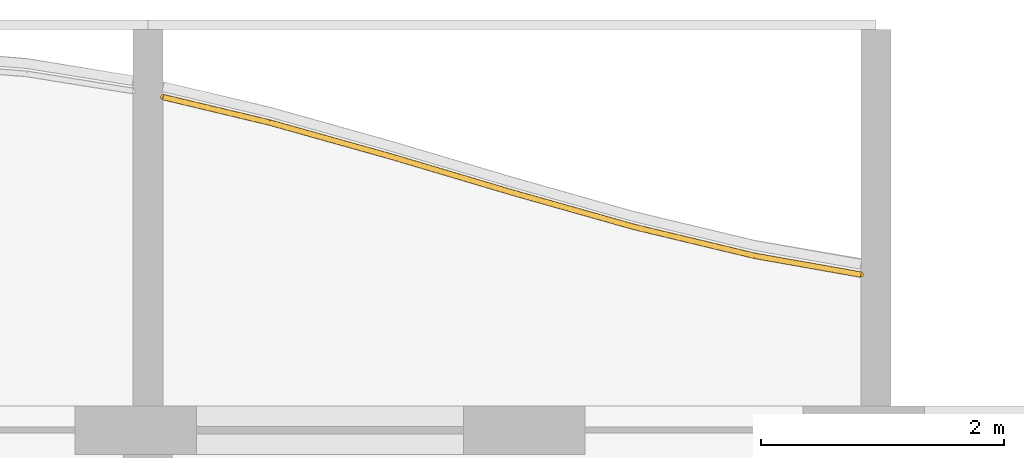
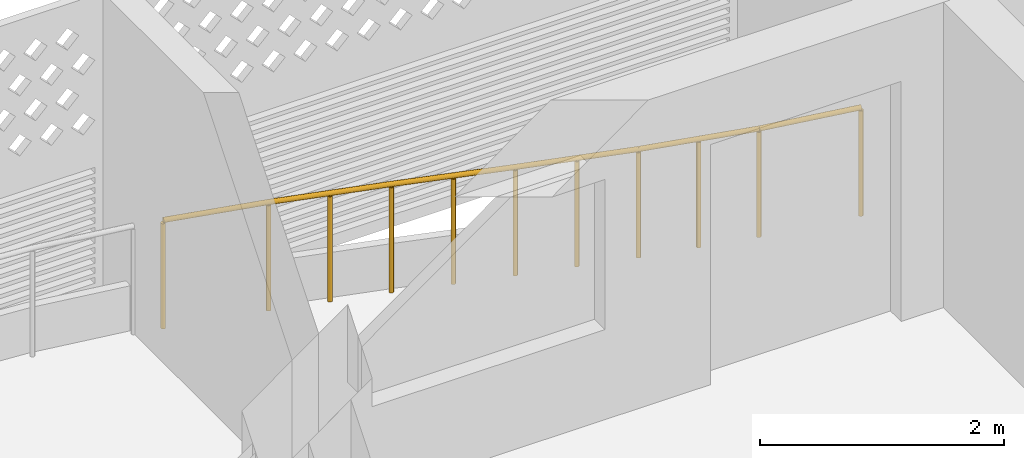
# One storey, part 23 of 39: 1 railing.
"""IFC4 building model written with IfcOpenShell, lengths in metres."""

import ifcopenshell
import ifcopenshell.guid

model = None  # the IFC model being written
_history = None  # IfcOwnerHistory: only IFC2X3 demands one
_inside = {}  # id of a spatial element -> (the spatial element, [elements in it])
_under = {}  # id of a project, library or spatial element -> (it, [spatial elements below it])
_declared = {}  # id of a project -> (the project, [libraries it declares])
_typed = {}  # id of a type object -> (the type object, [elements of that type])
_made_of = {}  # id of a material, layer set ... -> (it, [elements and type objects made of it])


def new_model(schema):
    """Start an empty IFC model of exactly this schema.

    Asked for "IFC4X3", IfcOpenShell would pick the latest addendum, in which some entities
    have other attributes; the version numbers below select the first issue.
    IFC2X3 requires an IfcOwnerHistory on every rooted entity: one is made here for all.
    """
    global model, _history
    if schema == "IFC4X3":
        model = ifcopenshell.file(schema_version=(4, 3, 0, 0))
    else:
        model = ifcopenshell.file(schema=schema)
    _inside.clear()
    _under.clear()
    _declared.clear()
    _typed.clear()
    _made_of.clear()
    _history = None
    if model.schema == "IFC2X3":
        org = make("IfcOrganization", Name="unknown")
        user = make(
            "IfcPersonAndOrganization",
            ThePerson=make("IfcPerson", FamilyName="unknown"),
            TheOrganization=org,
        )
        app = make(
            "IfcApplication",
            ApplicationDeveloper=org,
            Version="unknown",
            ApplicationFullName="unknown",
            ApplicationIdentifier="unknown",
        )
        _history = make(
            "IfcOwnerHistory",
            OwningUser=user,
            OwningApplication=app,
            ChangeAction="ADDED",
            CreationDate=0,
        )
    return model


def make(cls, **values):
    """One entity of the class cls with the attributes given. An attribute that is None is left unset."""
    return model.create_entity(
        cls, **{name: value for name, value in values.items() if value is not None}
    )


def rooted(cls, **values):
    """An entity with a GlobalId (a new one), such as an element, a storey or a relation."""
    return make(cls, GlobalId=ifcopenshell.guid.new(), OwnerHistory=_history, **values)


def si_unit(unit_type, name, prefix=None):
    """IfcSIUnit, for example si_unit("LENGTHUNIT", "METRE", prefix="MILLI")."""
    return make("IfcSIUnit", UnitType=unit_type, Prefix=prefix, Name=name)


def assignment(units):
    """IfcUnitAssignment: the units of a project."""
    return None if units is None else make("IfcUnitAssignment", Units=units)


def point(xyz):
    """IfcCartesianPoint."""
    return None if xyz is None else make("IfcCartesianPoint", Coordinates=xyz)


def direction(xyz):
    """IfcDirection."""
    return None if xyz is None else make("IfcDirection", DirectionRatios=xyz)


def frame(location, z_axis=None, x_axis=None):
    """IfcAxis2Placement3D, a coordinate frame: its origin and axes. An axis left out is left unset."""
    return make(
        "IfcAxis2Placement3D",
        Location=point(location),
        Axis=direction(z_axis),
        RefDirection=direction(x_axis),
    )


def frame_2d(location, x_axis=None):
    """IfcAxis2Placement2D, a coordinate frame in the plane: its origin and x axis."""
    return make(
        "IfcAxis2Placement2D", Location=point(location), RefDirection=direction(x_axis)
    )


def origin():
    """The frame at (0, 0, 0) with its axes left unset."""
    return frame((0.0, 0.0, 0.0))


def origin_2d():
    """The frame at (0, 0) in the plane with its x axis left unset."""
    return frame_2d((0.0, 0.0))


def place(relative_to, where):
    """IfcLocalPlacement: puts the frame where relative to a parent placement (None: the world)."""
    return make(
        "IfcLocalPlacement", PlacementRelTo=relative_to, RelativePlacement=where
    )


def context(
    kind, dimensions, precision=None, world=None, true_north=None, identifier=None
):
    """IfcGeometricRepresentationContext, for example the 3D "Model" context."""
    return make(
        "IfcGeometricRepresentationContext",
        ContextIdentifier=identifier,
        ContextType=kind,
        CoordinateSpaceDimension=dimensions,
        Precision=precision,
        WorldCoordinateSystem=world,
        TrueNorth=true_north,
    )


def subcontext(parent, identifier, kind, view, scale=None):
    """IfcGeometricRepresentationSubContext, for example "Body" below "Model"."""
    return make(
        "IfcGeometricRepresentationSubContext",
        ContextIdentifier=identifier,
        ContextType=kind,
        ParentContext=parent,
        TargetScale=scale,
        TargetView=view,
    )


def project(units=None, contexts=None):
    """IfcProject with its units and contexts."""
    return rooted(
        "IfcProject",
        Name="project",
        RepresentationContexts=contexts,
        UnitsInContext=assignment(units),
    )


def spatial(cls, under=None, at=None, **own):
    """A site, building, storey or space (cls), placed at a placement, below another one or the project."""
    s = rooted(cls, ObjectPlacement=at, **own)
    if under is not None:
        _under.setdefault(under.id(), (under, []))[1].append(s)
    return s


def profile(cls, at=None, kind="AREA", **sizes):
    """A parametric profile (cls). Its sizes go by their IFC names, for example OverallWidth=200.0."""
    return make(cls, ProfileType=kind, Position=at, **sizes)


def circle(**sizes):
    """IfcCircleProfileDef."""
    return profile("IfcCircleProfileDef", **sizes)


def extrude(swept, where, along, depth):
    """IfcExtrudedAreaSolid: the profile swept, set in the frame where, extruded along a direction by depth."""
    return make(
        "IfcExtrudedAreaSolid",
        SweptArea=swept,
        Position=where,
        ExtrudedDirection=direction(along),
        Depth=depth,
    )


def shape(context_of_items, identifier, shape_type, items):
    """IfcShapeRepresentation: the items that make up one representation, for example the "Body"."""
    return make(
        "IfcShapeRepresentation",
        ContextOfItems=context_of_items,
        RepresentationIdentifier=identifier,
        RepresentationType=shape_type,
        Items=items,
    )


def material(Name=None, Category=None):
    """IfcMaterial."""
    return make("IfcMaterial", Name=Name, Category=Category)


def made_of(thing, what):
    """Note that an element or type object is made of a material, layer set ...; save() writes the relation."""
    if what is not None:
        _made_of.setdefault(what.id(), (what, []))[1].append(thing)
    return thing


def type_object(cls, material=None, **own):
    """A type object (cls), such as IfcWallType, which elements share."""
    return made_of(rooted(cls, **own), material)


def element(
    cls,
    number,
    at=None,
    inside=None,
    cuts=None,
    type_object=None,
    material=None,
    context=None,
    identifier="Body",
    shape_type=None,
    held_by="IfcProductDefinitionShape",
    body=None,
    shapes=None,
    **own,
):
    """One element of the class cls, such as IfcWall. Its Tag is "e" and its number.

    at: its placement. inside: the storey or other place that contains it. cuts: it is an
    opening in that element (IfcRelVoidsElement). A single representation is given by context,
    identifier, shape_type and body (its items); several are given by shapes. held_by: the class
    of the entity that holds the representations. save() writes the other relations.
    """
    e = rooted(cls, Tag="e%d" % number, ObjectPlacement=at, **own)
    if body is not None:
        shapes = [shape(context, identifier, shape_type, body)]
    if shapes is not None:
        e.Representation = make(held_by, Representations=shapes)
    if inside is not None:
        _inside.setdefault(inside.id(), (inside, []))[1].append(e)
    if cuts is not None:
        rooted(
            "IfcRelVoidsElement", RelatingBuildingElement=cuts, RelatedOpeningElement=e
        )
    if type_object is not None:
        _typed.setdefault(type_object.id(), (type_object, []))[1].append(e)
    return made_of(e, material)


def aggregate(whole, parts):
    """IfcRelAggregates: a whole, such as a stair, and the parts it consists of."""
    return rooted("IfcRelAggregates", RelatingObject=whole, RelatedObjects=parts)


def save(model, path):
    """Write the relations noted so far, then the file.

    IfcRelAggregates (storeys below a building ...), IfcRelContainedInSpatialStructure (elements
    in a storey), IfcRelDefinesByType, IfcRelAssociatesMaterial and IfcRelDeclares: one each for
    every whole, place, type object, material and project.
    """
    for whole, parts in _under.values():
        aggregate(whole, parts)
    for where, things in _inside.values():
        rooted(
            "IfcRelContainedInSpatialStructure",
            RelatedElements=things,
            RelatingStructure=where,
        )
    for kind, things in _typed.values():
        rooted("IfcRelDefinesByType", RelatedObjects=things, RelatingType=kind)
    for what, things in _made_of.values():
        rooted("IfcRelAssociatesMaterial", RelatedObjects=things, RelatingMaterial=what)
    for by, libraries in _declared.values():
        rooted("IfcRelDeclares", RelatingContext=by, RelatedDefinitions=libraries)
    model.write(path)


model = new_model("IFC4")

# Units and contexts
model_context = context("Model", 3, precision=1e-05, world=origin(), true_north=direction((0.0, 1.0)))
body_context = subcontext(model_context, "Body", "Model", "MODEL_VIEW")
ifc_project = project(units=[si_unit("LENGTHUNIT", "METRE"), si_unit("AREAUNIT", "SQUARE_METRE"), si_unit("VOLUMEUNIT", "CUBIC_METRE"), si_unit("PLANEANGLEUNIT", "RADIAN"), si_unit("MASSUNIT", "GRAM", prefix="KILO")], contexts=[model_context])

# Site, building, storey
site_placement = place(None, origin())
site = spatial("IfcSite", under=ifc_project, at=site_placement, CompositionType="ELEMENT")
building_placement = place(site_placement, origin())
building = spatial("IfcBuilding", under=site, at=building_placement, Name="Poui Terraces", CompositionType="ELEMENT")
storey_placement = place(building_placement, frame((0.0, 0.0, 59.699951171875)))
storey = spatial("IfcBuildingStorey", under=building, at=storey_placement, Name="L16", CompositionType="ELEMENT", Elevation=59.699951171875)

# Railing
ifc_material = material(Name="Painted steel fretwork", Category="steel")
railing_type = type_object("IfcRailingType", Name="BALCONY GUARD 1100", PredefinedType="GUARDRAIL", material=ifc_material)
railing_placement = place(storey_placement, frame((24.125, 47.544677734375, 0.0)))
element("IfcRailing", 1, at=railing_placement, inside=storey, type_object=railing_type, Name="BALCONY GUARD", PredefinedType="GUARDRAIL", context=body_context, shape_type="SweptSolid", body=[
    extrude(circle(Radius=0.02392578125, at=origin_2d()), frame((0.0, 0.0, 1.076171875), z_axis=(0.972642909815, -0.232305337835, 0.0), x_axis=(0.232305337835, 0.972642909815, 0.0)), (0.0, 0.0, 1.0), 0.899658203125),
    extrude(circle(Radius=0.02392578125, at=origin_2d()), frame((0.875, -0.208984375, 1.076171875), z_axis=(0.962956694383, -0.269656086049, 0.0), x_axis=(0.269656086049, 0.962956694383, 0.0)), (0.0, 0.0, 1.0), 1.03857421875),
    extrude(circle(Radius=0.02392578125, at=origin_2d()), frame((1.875, -0.489013671875, 1.076171875), z_axis=(0.958646866278, -0.284598288426, 0.0), x_axis=(0.284598288426, 0.958646866278, 0.0)), (0.0, 0.0, 1.0), 1.043212890625),
    extrude(circle(Radius=0.02392578125, at=origin_2d()), frame((2.875, -0.785888671875, 1.076171875), z_axis=(0.962344148942, -0.2718340284, 0.0), x_axis=(0.2718340284, 0.962344148942, 0.0)), (0.0, 0.0, 1.0), 1.0390625),
    extrude(circle(Radius=0.02392578125, at=origin_2d()), frame((3.875, -1.068359375, 1.076171875), z_axis=(0.972443304839, -0.233139483729, 0.0), x_axis=(0.233139483729, 0.972443304839, 0.0)), (0.0, 0.0, 1.0), 1.0283203125),
    extrude(circle(Radius=0.02392578125, at=origin_2d()), frame((4.875, -1.30810546875, 1.076171875), z_axis=(0.984711559518, -0.174192837258, 0.0), x_axis=(0.174192837258, 0.984711559518, 0.0)), (0.0, 0.0, 1.0), 0.888671875),
    extrude(circle(Radius=0.02099609375, at=origin_2d()), origin(), (0.0, 0.0, 1.0), 1.052001953125),
    extrude(circle(Radius=0.02099609375, at=origin_2d()), frame((0.875, -0.208984375, 0.0)), (0.0, 0.0, 1.0), 1.052001953125),
    extrude(circle(Radius=0.02099609375, at=origin_2d()), frame((1.375, -0.34912109375, 0.0)), (0.0, 0.0, 1.0), 1.052001953125),
    extrude(circle(Radius=0.02099609375, at=origin_2d()), frame((1.875, -0.489013671875, 0.0)), (0.0, 0.0, 1.0), 1.052001953125),
    extrude(circle(Radius=0.02099609375, at=origin_2d()), frame((2.375, -0.637451171875, 0.0)), (0.0, 0.0, 1.0), 1.052001953125),
    extrude(circle(Radius=0.02099609375, at=origin_2d()), frame((2.875, -0.785888671875, 0.0)), (0.0, 0.0, 1.0), 1.052001953125),
    extrude(circle(Radius=0.02099609375, at=origin_2d()), frame((3.375, -0.92724609375, 0.0)), (0.0, 0.0, 1.0), 1.052001953125),
    extrude(circle(Radius=0.02099609375, at=origin_2d()), frame((3.875, -1.068359375, 0.0)), (0.0, 0.0, 1.0), 1.052001953125),
    extrude(circle(Radius=0.02099609375, at=origin_2d()), frame((4.375, -1.188232421875, 0.0)), (0.0, 0.0, 1.0), 1.052001953125),
    extrude(circle(Radius=0.02099609375, at=origin_2d()), frame((4.875, -1.30810546875, 0.0)), (0.0, 0.0, 1.0), 1.052001953125),
    extrude(circle(Radius=0.02099609375, at=origin_2d()), frame((5.75, -1.462890625, 0.0)), (0.0, 0.0, 1.0), 1.052001953125),
])

save(model, "model.ifc")
